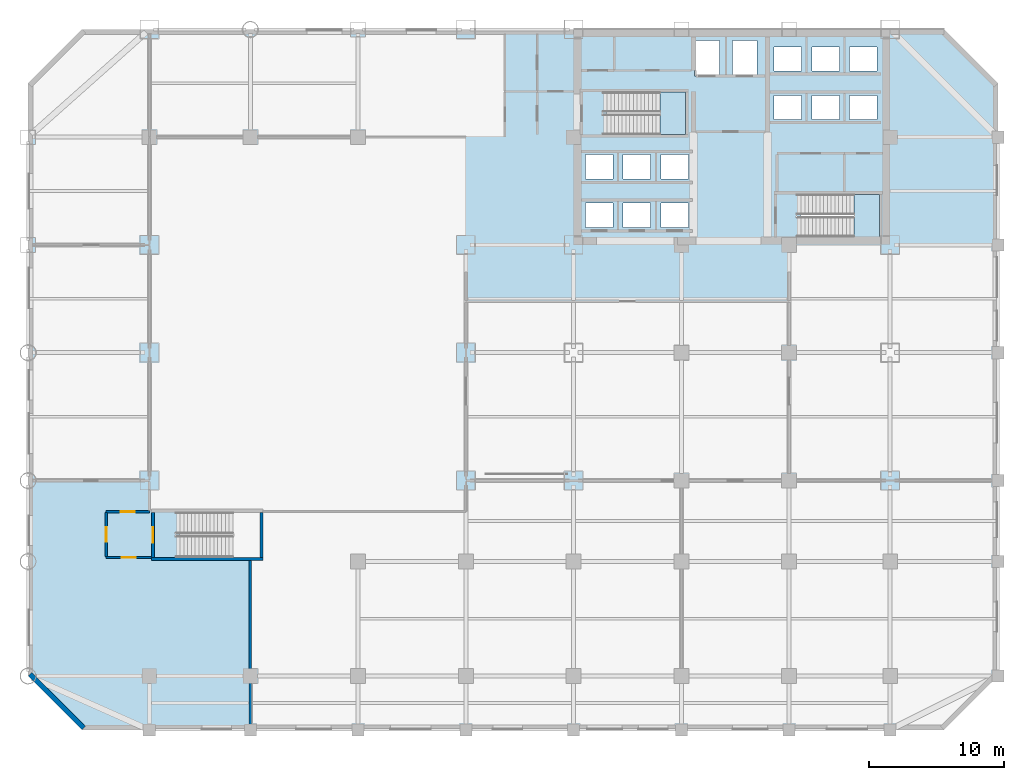
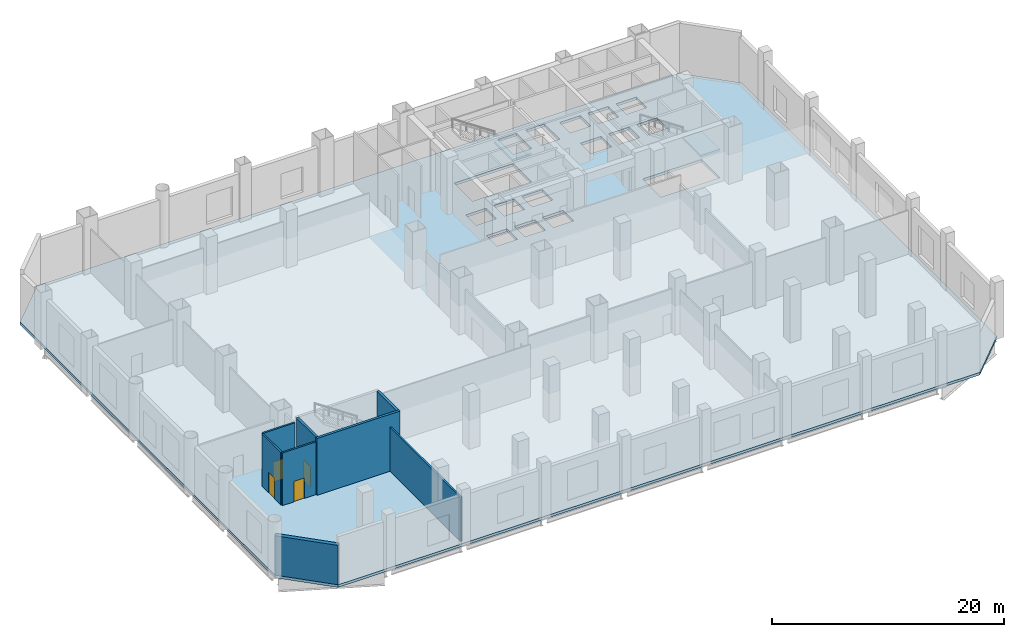
# One storey, part 3 of 11: 8 walls, 4 doors, 3 slabs, 4 openings, 2 elements without a shape of their own.
"""IFC4 building model written with IfcOpenShell, lengths in metres."""

from ifc_helpers import new_model, si_unit, direction, frame, frame_2d, origin, place, context, subcontext, project, spatial, polyline, rectangle, outline, extrude, material, layer, layer_set, type_object, element, fill, aggregate, save


model = new_model("IFC4")

# Units and contexts
model_context = context("Model", 3, precision=1e-05, world=origin(), true_north=direction((0.0, 1.0)))
body_context = subcontext(model_context, "Body", "Model", "MODEL_VIEW")
ifc_project = project(units=[si_unit("LENGTHUNIT", "METRE"), si_unit("AREAUNIT", "SQUARE_METRE"), si_unit("VOLUMEUNIT", "CUBIC_METRE"), si_unit("PLANEANGLEUNIT", "RADIAN"), si_unit("MASSUNIT", "GRAM", prefix="KILO")], contexts=[model_context])

# Site, building, storey
site_placement = place(None, origin())
site = spatial("IfcSite", under=ifc_project, at=site_placement, CompositionType="ELEMENT")
building_placement = place(site_placement, origin())
building = spatial("IfcBuilding", under=site, at=building_placement, Name="Qianrong Seaharbour Tower", CompositionType="ELEMENT")
storey_placement = place(building_placement, frame((0.0, 0.0, 11.39990234375)))
storey = spatial("IfcBuildingStorey", under=building, at=storey_placement, Name="L03", CompositionType="ELEMENT", Elevation=11.39990234375)

# Slab
ifc_material_1 = material(Name="Concrete C50/60", Category="concrete")
ifc_layer_1 = layer(ifc_material_1, 0.280029296875)
ifc_layer_set_1 = layer_set([ifc_layer_1], Name="Concrete C50/60")
slab_type_1 = type_object("IfcSlabType", Name="SLAB-POD-280", PredefinedType="FLOOR", material=ifc_layer_set_1)
slab_1_placement = place(storey_placement, frame((0.0, 0.0, -0.27978515625)))
element("IfcSlab", 1, at=slab_1_placement, inside=storey, type_object=slab_type_1, Name="L03 Structural Floor Slab", PredefinedType="FLOOR", context=body_context, shape_type="SweptSolid", body=[
    extrude(outline(polyline([(4.0, 0.0), (68.0, 0.0), (72.0, 4.0), (72.0, 48.0), (68.0, 52.0), (4.0, 52.0), (0.0, 48.0), (0.0, 4.0), (4.0, 0.0)]), holes=[polyline([(42.93994140625, 44.199951171875), (42.93994140625, 47.35009765625), (48.800048828125, 47.35009765625), (48.800048828125, 44.199951171875), (42.93994140625, 44.199951171875)]), polyline([(57.340087890625, 36.60009765625), (57.340087890625, 39.75), (63.199951171875, 39.75), (63.199951171875, 36.60009765625), (57.340087890625, 36.60009765625)]), polyline([(11.239990234375, 12.800048828125), (11.239990234375, 16.14990234375), (17.199951171875, 16.14990234375), (17.199951171875, 12.800048828125), (11.239990234375, 12.800048828125)]), polyline([(49.47998046875, 48.530029296875), (49.47998046875, 51.169921875), (51.320068359375, 51.169921875), (51.320068359375, 48.530029296875), (49.47998046875, 48.530029296875)]), polyline([(52.280029296875, 48.530029296875), (52.280029296875, 51.169921875), (54.1201171875, 51.169921875), (54.1201171875, 48.530029296875), (52.280029296875, 48.530029296875)]), polyline([(41.3798828125, 37.300048828125), (41.3798828125, 39.10009765625), (43.419921875, 39.10009765625), (43.419921875, 37.300048828125), (41.3798828125, 37.300048828125)]), polyline([(44.179931640625, 37.300048828125), (44.179931640625, 39.10009765625), (46.219970703125, 39.10009765625), (46.219970703125, 37.300048828125), (44.179931640625, 37.300048828125)]), polyline([(46.97998046875, 37.300048828125), (46.97998046875, 39.10009765625), (49.02001953125, 39.10009765625), (49.02001953125, 37.300048828125), (46.97998046875, 37.300048828125)]), polyline([(41.3798828125, 40.89990234375), (41.3798828125, 42.699951171875), (43.419921875, 42.699951171875), (43.419921875, 40.89990234375), (41.3798828125, 40.89990234375)]), polyline([(44.179931640625, 40.89990234375), (44.179931640625, 42.699951171875), (46.219970703125, 42.699951171875), (46.219970703125, 40.89990234375), (44.179931640625, 40.89990234375)]), polyline([(46.97998046875, 40.89990234375), (46.97998046875, 42.699951171875), (49.02001953125, 42.699951171875), (49.02001953125, 40.89990234375), (46.97998046875, 40.89990234375)]), polyline([(55.3798828125, 45.300048828125), (55.3798828125, 47.10009765625), (57.419921875, 47.10009765625), (57.419921875, 45.300048828125), (55.3798828125, 45.300048828125)]), polyline([(58.179931640625, 45.300048828125), (58.179931640625, 47.10009765625), (60.219970703125, 47.10009765625), (60.219970703125, 45.300048828125), (58.179931640625, 45.300048828125)]), polyline([(60.97998046875, 45.300048828125), (60.97998046875, 47.10009765625), (63.02001953125, 47.10009765625), (63.02001953125, 45.300048828125), (60.97998046875, 45.300048828125)]), polyline([(55.3798828125, 48.89990234375), (55.3798828125, 50.699951171875), (57.419921875, 50.699951171875), (57.419921875, 48.89990234375), (55.3798828125, 48.89990234375)]), polyline([(58.179931640625, 48.89990234375), (58.179931640625, 50.699951171875), (60.219970703125, 50.699951171875), (60.219970703125, 48.89990234375), (58.179931640625, 48.89990234375)]), polyline([(60.97998046875, 48.89990234375), (60.97998046875, 50.699951171875), (63.02001953125, 50.699951171875), (63.02001953125, 48.89990234375), (60.97998046875, 48.89990234375)])]), origin(), (0.0, 0.0, 1.0), 0.27978515625),
])

# Stair, slab
stair_type = type_object("IfcStairType", Name="STAIR-DOGLEG-1500-R32", PredefinedType="HALF_TURN_STAIR", material=ifc_material_1)
stair_1_placement = place(storey_placement, origin())
stair_1 = element("IfcStair", 2, at=stair_1_placement, inside=storey, type_object=stair_type, Name="L03 Protected Escape Stair ST-1", PredefinedType="HALF_TURN_STAIR")
ifc_layer_2 = layer(ifc_material_1, 0.199951171875)
ifc_layer_set_2 = layer_set([ifc_layer_2], Name="Concrete C50/60")
slab_type_2 = type_object("IfcSlabType", Name="SLAB-STAIR-LANDING-200", PredefinedType="LANDING", material=ifc_layer_set_2)
slab_2_placement = place(storey_placement, frame((0.0, 0.0, 2.800048828125)))
slab_2 = element("IfcSlab", 3, at=slab_2_placement, type_object=slab_type_2, Name="ST-1 landing 1", PredefinedType="LANDING", context=body_context, shape_type="SweptSolid", body=[
    extrude(outline(polyline([(46.89990234375, 44.199951171875), (48.800048828125, 44.199951171875), (48.800048828125, 47.35009765625), (46.89990234375, 47.35009765625), (46.89990234375, 44.199951171875)])), origin(), (0.0, 0.0, 1.0), 0.199951171875),
])
aggregate(stair_1, [slab_2])

stair_2_placement = place(storey_placement, origin())
stair_2 = element("IfcStair", 4, at=stair_2_placement, inside=storey, type_object=stair_type, Name="L03 Protected Escape Stair ST-2", PredefinedType="HALF_TURN_STAIR")
slab_3_placement = place(storey_placement, frame((0.0, 0.0, 2.800048828125)))
slab_3 = element("IfcSlab", 5, at=slab_3_placement, type_object=slab_type_2, Name="ST-2 landing 1", PredefinedType="LANDING", context=body_context, shape_type="SweptSolid", body=[
    extrude(outline(polyline([(61.300048828125, 36.60009765625), (63.199951171875, 36.60009765625), (63.199951171875, 39.75), (61.300048828125, 39.75), (61.300048828125, 36.60009765625)])), origin(), (0.0, 0.0, 1.0), 0.199951171875),
])
aggregate(stair_2, [slab_3])

# Wall, opening, door
ifc_material_2 = material(Name="Fire-rated acoustic gypsum board partition")
ifc_layer_3 = layer(ifc_material_2, 0.1650390625)
ifc_layer_set_3 = layer_set([ifc_layer_3], Name="Fire-rated acoustic gypsum board partition")
wall_type_1 = type_object("IfcWallType", Name="WALL-CORR-PART-165", PredefinedType="PARTITIONING", material=ifc_layer_set_3)
wall_1_placement = place(storey_placement, frame((9.159912109375, 12.800048828125, 0.0), z_axis=(0.0, 0.0, 1.0), x_axis=(-1.0, 0.0, 0.0)))
wall_1 = element("IfcWall", 6, at=wall_1_placement, inside=storey, type_object=wall_type_1, Name="L03 Interior Partition Wall 014", PredefinedType="PARTITIONING", context=body_context, shape_type="SweptSolid", body=[
    extrude(rectangle(XDim=3.35986328125, YDim=0.1650390625, at=frame_2d((1.679931640625, 0.0))), origin(), (0.0, 0.0, 1.0), 5.550048828125),
])
opening_1_placement = place(wall_1_placement, frame((1.155029296875, 0.0, 0.0)))
opening_1 = element("IfcOpeningElement", 7, at=opening_1_placement, cuts=wall_1, Name="Opening DC-01", PredefinedType="OPENING", context=body_context, shape_type="SweptSolid", body=[
    extrude(rectangle(XDim=1.050048828125, YDim=2.14990234375, at=frame_2d((0.52490234375, 1.074951171875))), frame((0.0, 0.092529296875, 0.0), z_axis=(0.0, -1.0, 0.0), x_axis=(1.0, 0.0, 0.0)), (0.0, 0.0, 1.0), 0.18505859375),
])
ifc_material_3 = material(Name="Acoustic timber and galvanized steel fire door assembly", Category="steel")
door_type_1 = type_object("IfcDoorType", Name="DOOR-CORR-FD60-1050x2150", OperationType="NOTDEFINED", PredefinedType="DOOR", material=ifc_material_3)
door_1_placement = place(opening_1_placement, origin())
door_1 = element("IfcDoor", 8, at=door_1_placement, inside=storey, type_object=door_type_1, Name="L03 Podium Stair Vestibule PST-3 Door", OperationType="SINGLE_SWING_LEFT", OverallHeight=2.14990234375, OverallWidth=1.050048828125, PredefinedType="DOOR", context=body_context, shape_type="SweptSolid", body=[
    extrude(rectangle(XDim=1.050048828125, YDim=2.14990234375, at=frame_2d((0.52490234375, 1.074951171875))), frame((0.0, 0.02490234375, 0.0), z_axis=(0.0, -1.0, 0.0), x_axis=(1.0, 0.0, 0.0)), (0.0, 0.0, 1.0), 0.050048828125),
])
fill(opening_1, door_1)

wall_2_placement = place(storey_placement, frame((5.800048828125, 12.87451171875, 0.0), z_axis=(0.0, 0.0, 1.0), x_axis=(0.0, 1.0, 0.0)))
wall_2 = element("IfcWall", 9, at=wall_2_placement, inside=storey, type_object=wall_type_1, Name="L03 Interior Partition Wall 015", PredefinedType="PARTITIONING", context=body_context, shape_type="SweptSolid", body=[
    extrude(rectangle(XDim=3.2509765625, YDim=0.1650390625, at=frame_2d((1.62548828125, 0.0))), origin(), (0.0, 0.0, 1.0), 5.550048828125),
])
opening_2_placement = place(wall_2_placement, frame((1.1005859375, 0.0, 0.0)))
opening_2 = element("IfcOpeningElement", 10, at=opening_2_placement, cuts=wall_2, Name="Opening DC-01", PredefinedType="OPENING", context=body_context, shape_type="SweptSolid", body=[
    extrude(rectangle(XDim=1.050048828125, YDim=2.14990234375, at=frame_2d((0.52490234375, 1.074951171875))), frame((0.0, 0.092529296875, 0.0), z_axis=(0.0, -1.0, 0.0), x_axis=(1.0, 0.0, 0.0)), (0.0, 0.0, 1.0), 0.18505859375),
])
door_2_placement = place(opening_2_placement, origin())
door_2 = element("IfcDoor", 11, at=door_2_placement, inside=storey, type_object=door_type_1, Name="L03 Podium Stair Vestibule PST-3 Door", OperationType="SINGLE_SWING_RIGHT", OverallHeight=2.14990234375, OverallWidth=1.050048828125, PredefinedType="DOOR", context=body_context, shape_type="SweptSolid", body=[
    extrude(rectangle(XDim=1.050048828125, YDim=2.14990234375, at=frame_2d((0.52490234375, 1.074951171875))), frame((0.0, 0.02490234375, 0.0), z_axis=(0.0, -1.0, 0.0), x_axis=(1.0, 0.0, 0.0)), (0.0, 0.0, 1.0), 0.050048828125),
])
fill(opening_2, door_2)

wall_3_placement = place(storey_placement, frame((5.800048828125, 16.199951171875, 0.0), z_axis=(0.0, 0.0, 1.0), x_axis=(1.0, 0.0, 0.0)))
wall_3 = element("IfcWall", 12, at=wall_3_placement, inside=storey, type_object=wall_type_1, Name="L03 Interior Partition Wall 016", PredefinedType="PARTITIONING", context=body_context, shape_type="SweptSolid", body=[
    extrude(rectangle(XDim=3.199951171875, YDim=0.1650390625, at=frame_2d((1.60009765625, 0.0))), origin(), (0.0, 0.0, 1.0), 5.550048828125),
])
opening_3_placement = place(wall_3_placement, frame((1.074951171875, 0.0, 0.0)))
opening_3 = element("IfcOpeningElement", 13, at=opening_3_placement, cuts=wall_3, Name="Opening DC-01", PredefinedType="OPENING", context=body_context, shape_type="SweptSolid", body=[
    extrude(rectangle(XDim=1.050048828125, YDim=2.14990234375, at=frame_2d((0.52490234375, 1.074951171875))), frame((0.0, 0.092529296875, 0.0), z_axis=(0.0, -1.0, 0.0), x_axis=(1.0, 0.0, 0.0)), (0.0, 0.0, 1.0), 0.18505859375),
])
door_3_placement = place(opening_3_placement, origin())
door_3 = element("IfcDoor", 14, at=door_3_placement, inside=storey, type_object=door_type_1, Name="L03 Podium Stair Vestibule PST-3 Door", OperationType="SINGLE_SWING_LEFT", OverallHeight=2.14990234375, OverallWidth=1.050048828125, PredefinedType="DOOR", context=body_context, shape_type="SweptSolid", body=[
    extrude(rectangle(XDim=1.050048828125, YDim=2.14990234375, at=frame_2d((0.52490234375, 1.074951171875))), frame((0.0, 0.02490234375, 0.0), z_axis=(0.0, -1.0, 0.0), x_axis=(1.0, 0.0, 0.0)), (0.0, 0.0, 1.0), 0.050048828125),
])
fill(opening_3, door_3)

# Walls
wall_4_placement = place(storey_placement, frame((16.5, 0.3720703125, 0.0), z_axis=(0.0, 0.0, 1.0), x_axis=(0.0, 1.0, 0.0)))
element("IfcWall", 15, at=wall_4_placement, inside=storey, type_object=wall_type_1, Name="L03 Interior Partition Wall 036", PredefinedType="PARTITIONING", context=body_context, shape_type="SweptSolid", body=[
    extrude(rectangle(XDim=12.196044921875, YDim=0.1650390625, at=frame_2d((6.09814453125, 0.0))), origin(), (0.0, 0.0, 1.0), 4.64208984375),
])
ifc_material_4 = material(Name="Natural honed granite dimension stone", Category="masonry")
ifc_layer_4 = layer(ifc_material_4, 0.3798828125)
ifc_layer_set_4 = layer_set([ifc_layer_4], Name="Natural honed granite dimension stone")
wall_type_2 = type_object("IfcWallType", Name="WALL-EXT-GRANITE-380", PredefinedType="SOLIDWALL", material=ifc_layer_set_4)
wall_5_placement = place(storey_placement, frame((4.13427734375, 0.13427734375, 0.0), z_axis=(0.0, 0.0, 1.0), x_axis=(-0.707106781187, 0.707106781187, 0.0)))
element("IfcWall", 16, at=wall_5_placement, inside=storey, type_object=wall_type_2, Name="L03 Exterior Masonry Facade Wall E07", PredefinedType="SOLIDWALL", context=body_context, shape_type="SweptSolid", body=[
    extrude(rectangle(XDim=5.65673828125, YDim=0.3798828125, at=frame_2d((2.828369140625, 0.0))), origin(), (0.0, 0.0, 1.0), 4.150146484375),
])
ifc_layer_5 = layer(ifc_material_1, 0.239990234375)
ifc_layer_set_5 = layer_set([ifc_layer_5], Name="Concrete C50/60")
wall_type_3 = type_object("IfcWallType", Name="WALL-SHAFT-RC240", PredefinedType="SOLIDWALL", material=ifc_layer_set_5)
wall_6_placement = place(storey_placement, frame((17.43994140625, 12.679931640625, 0.0), z_axis=(0.0, 0.0, 1.0), x_axis=(-1.0, 0.0, 0.0)))
element("IfcWall", 17, at=wall_6_placement, inside=storey, type_object=wall_type_3, Name="L03 PST-3 Structural Stair Core Wall S", PredefinedType="SOLIDWALL", context=body_context, shape_type="SweptSolid", body=[
    extrude(rectangle(XDim=8.280029296875, YDim=0.239990234375, at=frame_2d((4.14013671875, 0.0))), origin(), (0.0, 0.0, 1.0), 6.0),
])

# Wall, opening, door
wall_7_placement = place(storey_placement, frame((9.280029296875, 16.14990234375, 0.0), z_axis=(0.0, 0.0, 1.0), x_axis=(0.0, -1.0, 0.0)))
wall_7 = element("IfcWall", 18, at=wall_7_placement, inside=storey, type_object=wall_type_3, Name="L03 PST-3 Structural Stair Core Wall W", PredefinedType="SOLIDWALL", context=body_context, shape_type="SweptSolid", body=[
    extrude(rectangle(XDim=3.349853515625, YDim=0.239990234375, at=frame_2d((1.6748046875, 0.0))), origin(), (0.0, 0.0, 1.0), 6.0),
])
opening_4_placement = place(wall_7_placement, frame((1.10009765625, 0.0, 0.0)))
opening_4 = element("IfcOpeningElement", 19, at=opening_4_placement, cuts=wall_7, Name="Opening SD-01", PredefinedType="OPENING", context=body_context, shape_type="SweptSolid", body=[
    extrude(rectangle(XDim=1.14990234375, YDim=2.199951171875, at=frame_2d((0.574951171875, 1.10009765625))), frame((0.0, 0.1298828125, 0.0), z_axis=(0.0, -1.0, 0.0), x_axis=(1.0, 0.0, 0.0)), (0.0, 0.0, 1.0), 0.260009765625),
])
door_type_2 = type_object("IfcDoorType", Name="DOOR-STAIR-FD60-1150x2200", OperationType="NOTDEFINED", PredefinedType="DOOR", material=ifc_material_3)
door_4_placement = place(opening_4_placement, origin())
door_4 = element("IfcDoor", 20, at=door_4_placement, inside=storey, type_object=door_type_2, Name="L03 PST-3 Protected Stair Door", OperationType="SINGLE_SWING_RIGHT", OverallHeight=2.199951171875, OverallWidth=1.14990234375, PredefinedType="DOOR", context=body_context, shape_type="SweptSolid", body=[
    extrude(rectangle(XDim=1.14990234375, YDim=2.199951171875, at=frame_2d((0.574951171875, 1.10009765625))), frame((0.0, 0.02490234375, 0.0), z_axis=(0.0, -1.0, 0.0), x_axis=(1.0, 0.0, 0.0)), (0.0, 0.0, 1.0), 0.050048828125),
])
fill(opening_4, door_4)

# Wall
wall_8_placement = place(storey_placement, frame((17.320068359375, 12.800048828125, 0.0), z_axis=(0.0, 0.0, 1.0), x_axis=(0.0, 1.0, 0.0)))
element("IfcWall", 21, at=wall_8_placement, inside=storey, type_object=wall_type_3, Name="L03 PST-3 Structural Stair Core Wall E", PredefinedType="SOLIDWALL", context=body_context, shape_type="SweptSolid", body=[
    extrude(rectangle(XDim=3.349853515625, YDim=0.239990234375, at=frame_2d((1.6748046875, 0.0))), origin(), (0.0, 0.0, 1.0), 6.0),
])

save(model, "model.ifc")
